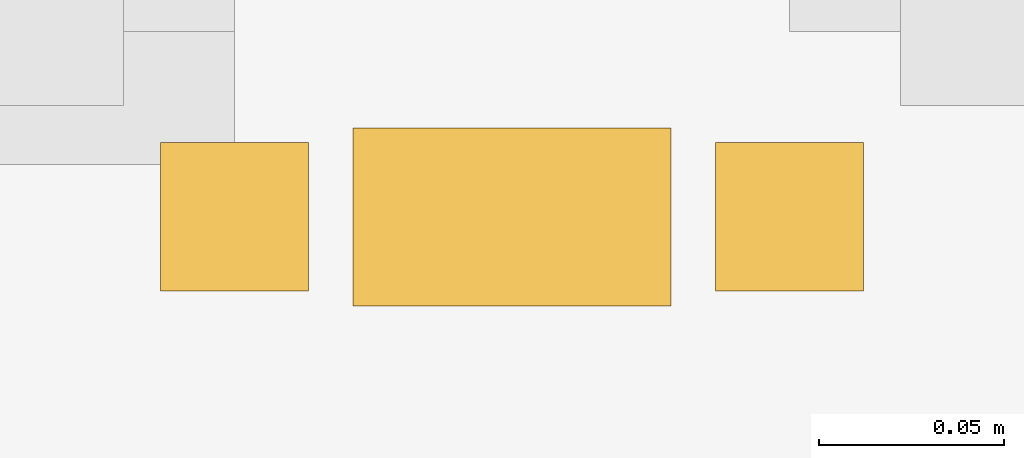
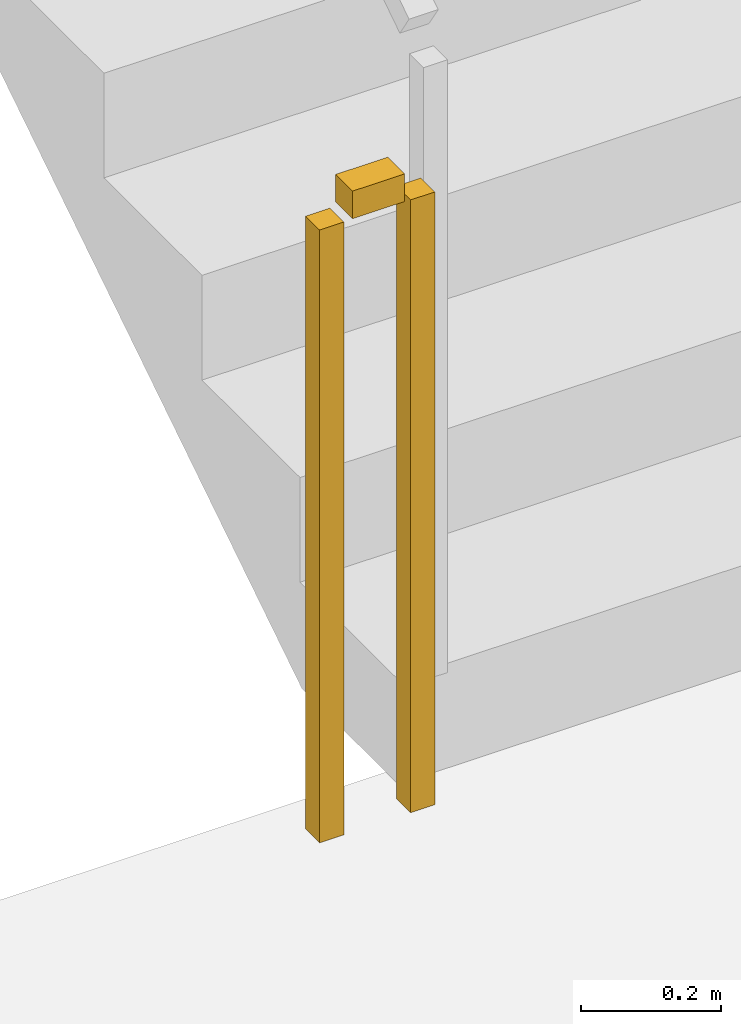
# One storey, part 15 of 18: 1 railing.
"""IFC4 building model written with IfcOpenShell, lengths in metres."""

import ifcopenshell
import ifcopenshell.guid

model = None  # the IFC model being written
_history = None  # IfcOwnerHistory: only IFC2X3 demands one
_inside = {}  # id of a spatial element -> (the spatial element, [elements in it])
_under = {}  # id of a project, library or spatial element -> (it, [spatial elements below it])
_declared = {}  # id of a project -> (the project, [libraries it declares])
_typed = {}  # id of a type object -> (the type object, [elements of that type])
_made_of = {}  # id of a material, layer set ... -> (it, [elements and type objects made of it])


def new_model(schema):
    """Start an empty IFC model of exactly this schema.

    Asked for "IFC4X3", IfcOpenShell would pick the latest addendum, in which some entities
    have other attributes; the version numbers below select the first issue.
    IFC2X3 requires an IfcOwnerHistory on every rooted entity: one is made here for all.
    """
    global model, _history
    if schema == "IFC4X3":
        model = ifcopenshell.file(schema_version=(4, 3, 0, 0))
    else:
        model = ifcopenshell.file(schema=schema)
    _inside.clear()
    _under.clear()
    _declared.clear()
    _typed.clear()
    _made_of.clear()
    _history = None
    if model.schema == "IFC2X3":
        org = make("IfcOrganization", Name="unknown")
        user = make(
            "IfcPersonAndOrganization",
            ThePerson=make("IfcPerson", FamilyName="unknown"),
            TheOrganization=org,
        )
        app = make(
            "IfcApplication",
            ApplicationDeveloper=org,
            Version="unknown",
            ApplicationFullName="unknown",
            ApplicationIdentifier="unknown",
        )
        _history = make(
            "IfcOwnerHistory",
            OwningUser=user,
            OwningApplication=app,
            ChangeAction="ADDED",
            CreationDate=0,
        )
    return model


def make(cls, **values):
    """One entity of the class cls with the attributes given. An attribute that is None is left unset."""
    return model.create_entity(
        cls, **{name: value for name, value in values.items() if value is not None}
    )


def rooted(cls, **values):
    """An entity with a GlobalId (a new one), such as an element, a storey or a relation."""
    return make(cls, GlobalId=ifcopenshell.guid.new(), OwnerHistory=_history, **values)


def si_unit(unit_type, name, prefix=None):
    """IfcSIUnit, for example si_unit("LENGTHUNIT", "METRE", prefix="MILLI")."""
    return make("IfcSIUnit", UnitType=unit_type, Prefix=prefix, Name=name)


def assignment(units):
    """IfcUnitAssignment: the units of a project."""
    return None if units is None else make("IfcUnitAssignment", Units=units)


def point(xyz):
    """IfcCartesianPoint."""
    return None if xyz is None else make("IfcCartesianPoint", Coordinates=xyz)


def direction(xyz):
    """IfcDirection."""
    return None if xyz is None else make("IfcDirection", DirectionRatios=xyz)


def frame(location, z_axis=None, x_axis=None):
    """IfcAxis2Placement3D, a coordinate frame: its origin and axes. An axis left out is left unset."""
    return make(
        "IfcAxis2Placement3D",
        Location=point(location),
        Axis=direction(z_axis),
        RefDirection=direction(x_axis),
    )


def frame_2d(location, x_axis=None):
    """IfcAxis2Placement2D, a coordinate frame in the plane: its origin and x axis."""
    return make(
        "IfcAxis2Placement2D", Location=point(location), RefDirection=direction(x_axis)
    )


def origin():
    """The frame at (0, 0, 0) with its axes left unset."""
    return frame((0.0, 0.0, 0.0))


def origin_2d():
    """The frame at (0, 0) in the plane with its x axis left unset."""
    return frame_2d((0.0, 0.0))


def place(relative_to, where):
    """IfcLocalPlacement: puts the frame where relative to a parent placement (None: the world)."""
    return make(
        "IfcLocalPlacement", PlacementRelTo=relative_to, RelativePlacement=where
    )


def context(
    kind, dimensions, precision=None, world=None, true_north=None, identifier=None
):
    """IfcGeometricRepresentationContext, for example the 3D "Model" context."""
    return make(
        "IfcGeometricRepresentationContext",
        ContextIdentifier=identifier,
        ContextType=kind,
        CoordinateSpaceDimension=dimensions,
        Precision=precision,
        WorldCoordinateSystem=world,
        TrueNorth=true_north,
    )


def subcontext(parent, identifier, kind, view, scale=None):
    """IfcGeometricRepresentationSubContext, for example "Body" below "Model"."""
    return make(
        "IfcGeometricRepresentationSubContext",
        ContextIdentifier=identifier,
        ContextType=kind,
        ParentContext=parent,
        TargetScale=scale,
        TargetView=view,
    )


def project(units=None, contexts=None):
    """IfcProject with its units and contexts."""
    return rooted(
        "IfcProject",
        Name="project",
        RepresentationContexts=contexts,
        UnitsInContext=assignment(units),
    )


def spatial(cls, under=None, at=None, **own):
    """A site, building, storey or space (cls), placed at a placement, below another one or the project."""
    s = rooted(cls, ObjectPlacement=at, **own)
    if under is not None:
        _under.setdefault(under.id(), (under, []))[1].append(s)
    return s


def profile(cls, at=None, kind="AREA", **sizes):
    """A parametric profile (cls). Its sizes go by their IFC names, for example OverallWidth=200.0."""
    return make(cls, ProfileType=kind, Position=at, **sizes)


def rectangle(**sizes):
    """IfcRectangleProfileDef."""
    return profile("IfcRectangleProfileDef", **sizes)


def extrude(swept, where, along, depth):
    """IfcExtrudedAreaSolid: the profile swept, set in the frame where, extruded along a direction by depth."""
    return make(
        "IfcExtrudedAreaSolid",
        SweptArea=swept,
        Position=where,
        ExtrudedDirection=direction(along),
        Depth=depth,
    )


def shape(context_of_items, identifier, shape_type, items):
    """IfcShapeRepresentation: the items that make up one representation, for example the "Body"."""
    return make(
        "IfcShapeRepresentation",
        ContextOfItems=context_of_items,
        RepresentationIdentifier=identifier,
        RepresentationType=shape_type,
        Items=items,
    )


def material(Name=None, Category=None):
    """IfcMaterial."""
    return make("IfcMaterial", Name=Name, Category=Category)


def made_of(thing, what):
    """Note that an element or type object is made of a material, layer set ...; save() writes the relation."""
    if what is not None:
        _made_of.setdefault(what.id(), (what, []))[1].append(thing)
    return thing


def type_object(cls, material=None, **own):
    """A type object (cls), such as IfcWallType, which elements share."""
    return made_of(rooted(cls, **own), material)


def element(
    cls,
    number,
    at=None,
    inside=None,
    cuts=None,
    type_object=None,
    material=None,
    context=None,
    identifier="Body",
    shape_type=None,
    held_by="IfcProductDefinitionShape",
    body=None,
    shapes=None,
    **own,
):
    """One element of the class cls, such as IfcWall. Its Tag is "e" and its number.

    at: its placement. inside: the storey or other place that contains it. cuts: it is an
    opening in that element (IfcRelVoidsElement). A single representation is given by context,
    identifier, shape_type and body (its items); several are given by shapes. held_by: the class
    of the entity that holds the representations. save() writes the other relations.
    """
    e = rooted(cls, Tag="e%d" % number, ObjectPlacement=at, **own)
    if body is not None:
        shapes = [shape(context, identifier, shape_type, body)]
    if shapes is not None:
        e.Representation = make(held_by, Representations=shapes)
    if inside is not None:
        _inside.setdefault(inside.id(), (inside, []))[1].append(e)
    if cuts is not None:
        rooted(
            "IfcRelVoidsElement", RelatingBuildingElement=cuts, RelatedOpeningElement=e
        )
    if type_object is not None:
        _typed.setdefault(type_object.id(), (type_object, []))[1].append(e)
    return made_of(e, material)


def aggregate(whole, parts):
    """IfcRelAggregates: a whole, such as a stair, and the parts it consists of."""
    return rooted("IfcRelAggregates", RelatingObject=whole, RelatedObjects=parts)


def save(model, path):
    """Write the relations noted so far, then the file.

    IfcRelAggregates (storeys below a building ...), IfcRelContainedInSpatialStructure (elements
    in a storey), IfcRelDefinesByType, IfcRelAssociatesMaterial and IfcRelDeclares: one each for
    every whole, place, type object, material and project.
    """
    for whole, parts in _under.values():
        aggregate(whole, parts)
    for where, things in _inside.values():
        rooted(
            "IfcRelContainedInSpatialStructure",
            RelatedElements=things,
            RelatingStructure=where,
        )
    for kind, things in _typed.values():
        rooted("IfcRelDefinesByType", RelatedObjects=things, RelatingType=kind)
    for what, things in _made_of.values():
        rooted("IfcRelAssociatesMaterial", RelatedObjects=things, RelatingMaterial=what)
    for by, libraries in _declared.values():
        rooted("IfcRelDeclares", RelatingContext=by, RelatedDefinitions=libraries)
    model.write(path)


model = new_model("IFC4")

# Units and contexts
model_context = context("Model", 3, precision=1e-05, world=origin(), true_north=direction((0.0, 1.0)))
body_context = subcontext(model_context, "Body", "Model", "MODEL_VIEW")
ifc_project = project(units=[si_unit("LENGTHUNIT", "METRE"), si_unit("AREAUNIT", "SQUARE_METRE"), si_unit("VOLUMEUNIT", "CUBIC_METRE"), si_unit("PLANEANGLEUNIT", "RADIAN"), si_unit("MASSUNIT", "GRAM", prefix="KILO")], contexts=[model_context])

# Site, building, storey
site_placement = place(None, origin())
site = spatial("IfcSite", under=ifc_project, at=site_placement, CompositionType="ELEMENT")
building_placement = place(site_placement, origin())
building = spatial("IfcBuilding", under=site, at=building_placement, Name="Tharavind Bronze Gate", CompositionType="ELEMENT")
storey_placement = place(building_placement, frame((0.0, 0.0, 279.75)))
storey = spatial("IfcBuildingStorey", under=building, at=storey_placement, Name="L72", CompositionType="ELEMENT", Elevation=279.75)

# Railing
ifc_material = material(Name="Brushed Bronze Alloy", Category="metal")
railing_type = type_object("IfcRailingType", Name="STAIR WELL GUARD RAILING 1120", PredefinedType="GUARDRAIL", material=ifc_material)
railing_placement = place(storey_placement, frame((-6.85009765625, -2.300048828125, 0.0)))
element("IfcRailing", 1, at=railing_placement, inside=storey, type_object=railing_type, Name="L72 ST1 stair guard 4", PredefinedType="GUARDRAIL", context=body_context, shape_type="SweptSolid", body=[
    extrude(rectangle(XDim=0.048095703125, YDim=0.048095703125, at=origin_2d()), frame((-0.031982421875, 0.0, 1.09619140625), z_axis=(-1.0, 0.0, 0.0), x_axis=(0.0, -1.0, 0.0)), (0.0, 0.0, 1.0), 0.0859375),
    extrude(rectangle(XDim=0.0400390625, YDim=0.0400390625, at=origin_2d()), origin(), (0.0, 0.0, 1.0), 1.068115234375),
    extrude(rectangle(XDim=0.0400390625, YDim=0.0400390625, at=origin_2d()), frame((-0.14990234375, 0.0, 0.0)), (0.0, 0.0, 1.0), 1.068115234375),
])

save(model, "model.ifc")
